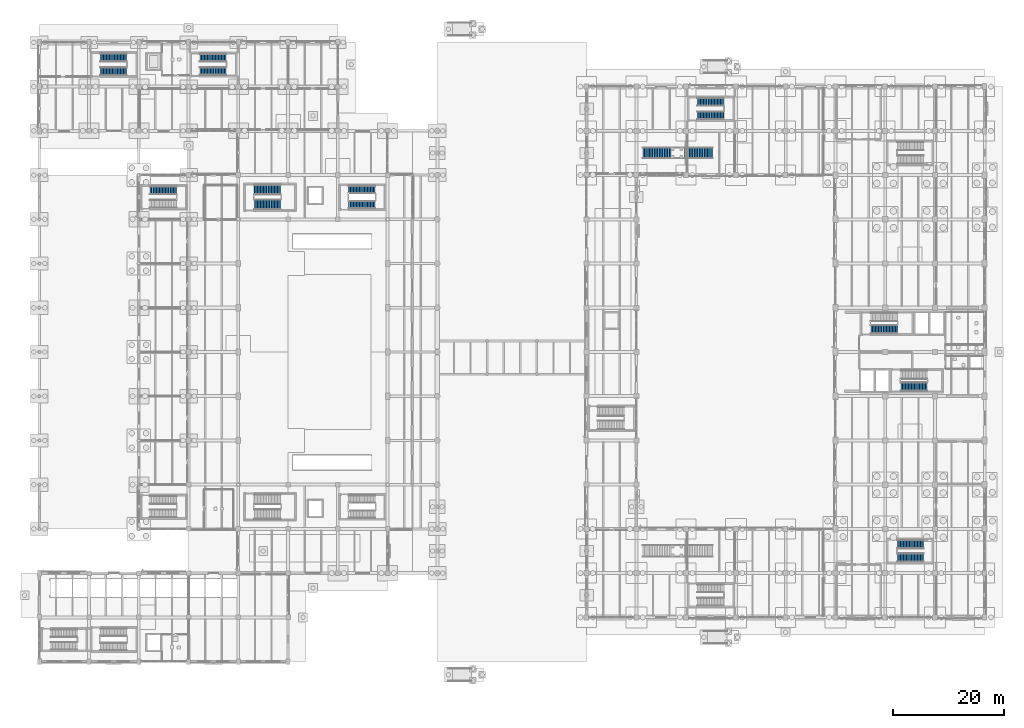
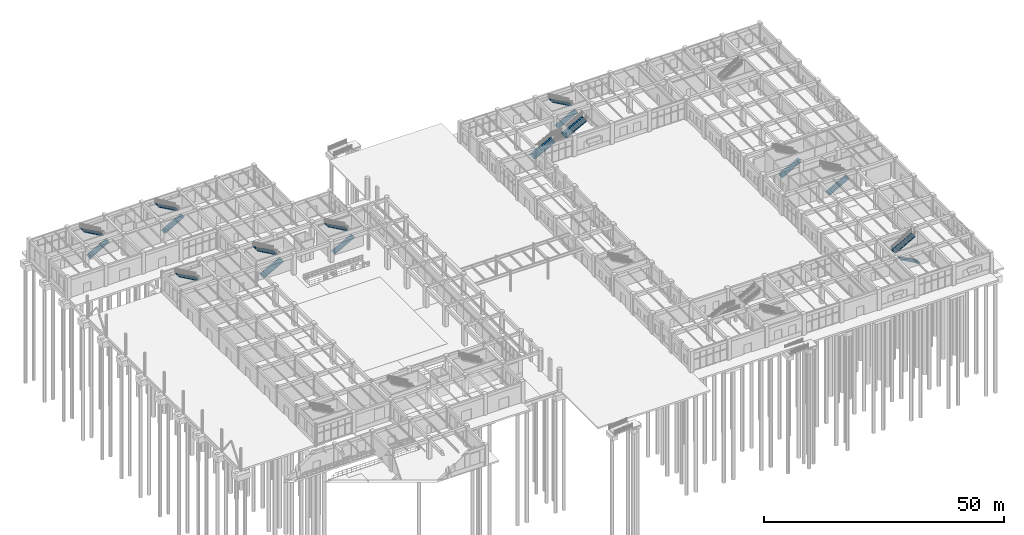
# One storey, part 102 of 121: 17 stair flights, 10 elements without a shape of their own.
"""IFC4 building model written with IfcOpenShell, lengths in metres."""

from ifc_helpers import new_model, si_unit, derived_unit, direction, frame, origin, place, context, subcontext, project, spatial, polyline, outline, extrude, material, type_object, element, aggregate, save


model = new_model("IFC4")

# Units and contexts
model_context = context("Model", 3, precision=1e-05, world=origin(), true_north=direction((0.0, 1.0)))
body_context = subcontext(model_context, "Body", "Model", "MODEL_VIEW")
ifc_project = project(units=[si_unit("LENGTHUNIT", "METRE"), si_unit("AREAUNIT", "SQUARE_METRE"), si_unit("VOLUMEUNIT", "CUBIC_METRE"), si_unit("PLANEANGLEUNIT", "RADIAN"), si_unit("MASSUNIT", "GRAM", prefix="KILO"), derived_unit("THERMALTRANSMITTANCEUNIT", [(si_unit("MASSUNIT", "GRAM", prefix="KILO"), 1), (si_unit("TIMEUNIT", "SECOND"), -3), (si_unit("THERMODYNAMICTEMPERATUREUNIT", "KELVIN"), -1)])], contexts=[model_context])

# Site, building, storey
site_placement = place(None, origin())
site = spatial("IfcSite", under=ifc_project, at=site_placement, CompositionType="ELEMENT")
building_placement = place(site_placement, origin())
building = spatial("IfcBuilding", under=site, at=building_placement, Name="Zhenchuan Archway Interchange", CompositionType="ELEMENT")
storey_placement = place(building_placement, origin())
storey = spatial("IfcBuildingStorey", under=building, at=storey_placement, Name="L00", CompositionType="ELEMENT", Elevation=0.0)

# Stair, stair flights
ifc_material = material(Name="Concrete C35", Category="concrete")
stair_type_1 = type_object("IfcStairType", Name="STR_HALF_1400", PredefinedType="HALF_TURN_STAIR", material=ifc_material)
stair_1_placement = place(storey_placement, origin())
stair_1 = element("IfcStair", 1, at=stair_1_placement, inside=storey, type_object=stair_type_1, Name="Stair ST-M4 (L00)", PredefinedType="HALF_TURN_STAIR")
stair_flight_type_1 = type_object("IfcStairFlightType", Name="SFL_1400", PredefinedType="STRAIGHT", material=ifc_material)
stair_flight_1_placement = place(storey_placement, frame((55.96435546875, 82.614990234375, 0.0), z_axis=(0.0, 0.0, 1.0), x_axis=(1.0, 0.0, 0.0)))
stair_flight_1 = element("IfcStairFlight", 2, at=stair_flight_1_placement, type_object=stair_flight_type_1, Name="Stair ST-M4 lower flight (L00)", NumberOfRisers=18, NumberOfTreads=17, PredefinedType="STRAIGHT", RiserHeight=0.15, TreadLength=0.28, context=body_context, shape_type="SweptSolid", body=[
    extrude(outline(polyline([(0.0, 0.0), (0.0, 0.14990234375), (0.280029296875, 0.14990234375), (0.280029296875, 0.300048828125), (0.56005859375, 0.300048828125), (0.56005859375, 0.449951171875), (0.840087890625, 0.449951171875), (0.840087890625, 0.60009765625), (1.1201171875, 0.60009765625), (1.1201171875, 0.75), (1.39990234375, 0.75), (1.39990234375, 0.89990234375), (1.679931640625, 0.89990234375), (1.679931640625, 1.050048828125), (1.9599609375, 1.050048828125), (1.9599609375, 1.199951171875), (2.239990234375, 1.199951171875), (2.239990234375, 1.35009765625), (2.52001953125, 1.35009765625), (2.52001953125, 1.5), (2.800048828125, 1.5), (2.800048828125, 1.64990234375), (3.080078125, 1.64990234375), (3.080078125, 1.800048828125), (3.360107421875, 1.800048828125), (3.360107421875, 1.949951171875), (3.639892578125, 1.949951171875), (3.639892578125, 2.10009765625), (3.919921875, 2.10009765625), (3.919921875, 2.25), (4.199951171875, 2.25), (4.199951171875, 2.39990234375), (4.47998046875, 2.39990234375), (4.47998046875, 2.550048828125), (4.760009765625, 2.550048828125), (4.760009765625, 2.699951171875), (4.78125, 2.699951171875), (4.78125, 2.495849609375), (0.381103515625, 0.0), (0.0, 0.0)])), frame((0.0, 0.699951171875, 0.0), z_axis=(0.0, -1.0, 0.0), x_axis=(1.0, 0.0, 0.0)), (0.0, 0.0, 1.0), 1.39990234375),
])
stair_flight_2_placement = place(storey_placement, frame((60.74560546875, 85.385009765625, 2.699951171875), z_axis=(0.0, 0.0, 1.0), x_axis=(-1.0, 0.0, 0.0)))
stair_flight_2 = element("IfcStairFlight", 3, at=stair_flight_2_placement, type_object=stair_flight_type_1, Name="Stair ST-M4 upper flight (L00)", NumberOfRisers=18, NumberOfTreads=17, PredefinedType="STRAIGHT", RiserHeight=0.15, TreadLength=0.28, context=body_context, shape_type="SweptSolid", body=[
    extrude(outline(polyline([(0.0, 0.0), (0.0, 0.14990234375), (0.280029296875, 0.14990234375), (0.280029296875, 0.300048828125), (0.56005859375, 0.300048828125), (0.56005859375, 0.449951171875), (0.840087890625, 0.449951171875), (0.840087890625, 0.60009765625), (1.1201171875, 0.60009765625), (1.1201171875, 0.75), (1.39990234375, 0.75), (1.39990234375, 0.89990234375), (1.679931640625, 0.89990234375), (1.679931640625, 1.050048828125), (1.9599609375, 1.050048828125), (1.9599609375, 1.199951171875), (2.239990234375, 1.199951171875), (2.239990234375, 1.35009765625), (2.52001953125, 1.35009765625), (2.52001953125, 1.5), (2.800048828125, 1.5), (2.800048828125, 1.64990234375), (3.080078125, 1.64990234375), (3.080078125, 1.800048828125), (3.360107421875, 1.800048828125), (3.360107421875, 1.949951171875), (3.639892578125, 1.949951171875), (3.639892578125, 2.10009765625), (3.919921875, 2.10009765625), (3.919921875, 2.25), (4.199951171875, 2.25), (4.199951171875, 2.39990234375), (4.47998046875, 2.39990234375), (4.47998046875, 2.550048828125), (4.760009765625, 2.550048828125), (4.760009765625, 2.699951171875), (4.78125, 2.699951171875), (4.78125, 2.495849609375), (0.381103515625, 0.0), (0.0, 0.0)])), frame((0.0, 0.699951171875, 0.0), z_axis=(0.0, -1.0, 0.0), x_axis=(1.0, 0.0, 0.0)), (0.0, 0.0, 1.0), 1.39990234375),
])
aggregate(stair_1, [stair_flight_1, stair_flight_2])

# Stair, stair flight
stair_type_2 = type_object("IfcStairType", Name="STR_HALF_1450", PredefinedType="HALF_TURN_STAIR", material=ifc_material)
stair_2_placement = place(storey_placement, origin())
stair_2 = element("IfcStair", 4, at=stair_2_placement, inside=storey, type_object=stair_type_2, Name="Stair ST-B2 (L00)", PredefinedType="HALF_TURN_STAIR")
stair_flight_type_2 = type_object("IfcStairFlightType", Name="SFL_1450", PredefinedType="STRAIGHT", material=ifc_material)
stair_flight_3_placement = place(storey_placement, frame((24.8056640625, 85.2099609375, 2.699951171875), z_axis=(0.0, 0.0, 1.0), x_axis=(-1.0, 0.0, 0.0)))
stair_flight_3 = element("IfcStairFlight", 5, at=stair_flight_3_placement, type_object=stair_flight_type_2, Name="Stair ST-B2 upper flight (L00)", NumberOfRisers=18, NumberOfTreads=17, PredefinedType="STRAIGHT", RiserHeight=0.15, TreadLength=0.28, context=body_context, shape_type="SweptSolid", body=[
    extrude(outline(polyline([(0.0, 0.0), (0.0, 0.14990234375), (0.280029296875, 0.14990234375), (0.280029296875, 0.300048828125), (0.56005859375, 0.300048828125), (0.56005859375, 0.449951171875), (0.840087890625, 0.449951171875), (0.840087890625, 0.60009765625), (1.1201171875, 0.60009765625), (1.1201171875, 0.75), (1.39990234375, 0.75), (1.39990234375, 0.89990234375), (1.679931640625, 0.89990234375), (1.679931640625, 1.050048828125), (1.9599609375, 1.050048828125), (1.9599609375, 1.199951171875), (2.239990234375, 1.199951171875), (2.239990234375, 1.35009765625), (2.52001953125, 1.35009765625), (2.52001953125, 1.5), (2.800048828125, 1.5), (2.800048828125, 1.64990234375), (3.080078125, 1.64990234375), (3.080078125, 1.800048828125), (3.360107421875, 1.800048828125), (3.360107421875, 1.949951171875), (3.639892578125, 1.949951171875), (3.639892578125, 2.10009765625), (3.919921875, 2.10009765625), (3.919921875, 2.25), (4.199951171875, 2.25), (4.199951171875, 2.39990234375), (4.47998046875, 2.39990234375), (4.47998046875, 2.550048828125), (4.760009765625, 2.550048828125), (4.760009765625, 2.699951171875), (4.78125, 2.699951171875), (4.78125, 2.495849609375), (0.381103515625, 0.0), (0.0, 0.0)])), frame((0.0, 0.72509765625, 0.0), z_axis=(0.0, -1.0, 0.0), x_axis=(1.0, 0.0, 0.0)), (0.0, 0.0, 1.0), 1.449951171875),
])
aggregate(stair_2, [stair_flight_3])

# Stair, stair flights
stair_3_placement = place(storey_placement, origin())
stair_3 = element("IfcStair", 6, at=stair_3_placement, inside=storey, type_object=stair_type_2, Name="Stair ST-W2 (L00)", PredefinedType="HALF_TURN_STAIR")
stair_flight_4_placement = place(storey_placement, frame((29.0244140625, 106.7900390625, 0.0), z_axis=(0.0, 0.0, 1.0), x_axis=(1.0, 0.0, 0.0)))
stair_flight_4 = element("IfcStairFlight", 7, at=stair_flight_4_placement, type_object=stair_flight_type_2, Name="Stair ST-W2 lower flight (L00)", NumberOfRisers=18, NumberOfTreads=17, PredefinedType="STRAIGHT", RiserHeight=0.15, TreadLength=0.28, context=body_context, shape_type="SweptSolid", body=[
    extrude(outline(polyline([(0.0, 0.0), (0.0, 0.14990234375), (0.280029296875, 0.14990234375), (0.280029296875, 0.300048828125), (0.56005859375, 0.300048828125), (0.56005859375, 0.449951171875), (0.840087890625, 0.449951171875), (0.840087890625, 0.60009765625), (1.1201171875, 0.60009765625), (1.1201171875, 0.75), (1.39990234375, 0.75), (1.39990234375, 0.89990234375), (1.679931640625, 0.89990234375), (1.679931640625, 1.050048828125), (1.9599609375, 1.050048828125), (1.9599609375, 1.199951171875), (2.239990234375, 1.199951171875), (2.239990234375, 1.35009765625), (2.52001953125, 1.35009765625), (2.52001953125, 1.5), (2.800048828125, 1.5), (2.800048828125, 1.64990234375), (3.080078125, 1.64990234375), (3.080078125, 1.800048828125), (3.360107421875, 1.800048828125), (3.360107421875, 1.949951171875), (3.639892578125, 1.949951171875), (3.639892578125, 2.10009765625), (3.919921875, 2.10009765625), (3.919921875, 2.25), (4.199951171875, 2.25), (4.199951171875, 2.39990234375), (4.47998046875, 2.39990234375), (4.47998046875, 2.550048828125), (4.760009765625, 2.550048828125), (4.760009765625, 2.699951171875), (4.78125, 2.699951171875), (4.78125, 2.495849609375), (0.381103515625, 0.0), (0.0, 0.0)])), frame((0.0, 0.72509765625, 0.0), z_axis=(0.0, -1.0, 0.0), x_axis=(1.0, 0.0, 0.0)), (0.0, 0.0, 1.0), 1.449951171875),
])
stair_flight_5_placement = place(storey_placement, frame((33.8056640625, 109.2099609375, 2.699951171875), z_axis=(0.0, 0.0, 1.0), x_axis=(-1.0, 0.0, 0.0)))
stair_flight_5 = element("IfcStairFlight", 8, at=stair_flight_5_placement, type_object=stair_flight_type_2, Name="Stair ST-W2 upper flight (L00)", NumberOfRisers=18, NumberOfTreads=17, PredefinedType="STRAIGHT", RiserHeight=0.15, TreadLength=0.28, context=body_context, shape_type="SweptSolid", body=[
    extrude(outline(polyline([(0.0, 0.0), (0.0, 0.14990234375), (0.280029296875, 0.14990234375), (0.280029296875, 0.300048828125), (0.56005859375, 0.300048828125), (0.56005859375, 0.449951171875), (0.840087890625, 0.449951171875), (0.840087890625, 0.60009765625), (1.1201171875, 0.60009765625), (1.1201171875, 0.75), (1.39990234375, 0.75), (1.39990234375, 0.89990234375), (1.679931640625, 0.89990234375), (1.679931640625, 1.050048828125), (1.9599609375, 1.050048828125), (1.9599609375, 1.199951171875), (2.239990234375, 1.199951171875), (2.239990234375, 1.35009765625), (2.52001953125, 1.35009765625), (2.52001953125, 1.5), (2.800048828125, 1.5), (2.800048828125, 1.64990234375), (3.080078125, 1.64990234375), (3.080078125, 1.800048828125), (3.360107421875, 1.800048828125), (3.360107421875, 1.949951171875), (3.639892578125, 1.949951171875), (3.639892578125, 2.10009765625), (3.919921875, 2.10009765625), (3.919921875, 2.25), (4.199951171875, 2.25), (4.199951171875, 2.39990234375), (4.47998046875, 2.39990234375), (4.47998046875, 2.550048828125), (4.760009765625, 2.550048828125), (4.760009765625, 2.699951171875), (4.78125, 2.699951171875), (4.78125, 2.495849609375), (0.381103515625, 0.0), (0.0, 0.0)])), frame((0.0, 0.72509765625, 0.0), z_axis=(0.0, -1.0, 0.0), x_axis=(1.0, 0.0, 0.0)), (0.0, 0.0, 1.0), 1.449951171875),
])
aggregate(stair_3, [stair_flight_4, stair_flight_5])

stair_4_placement = place(storey_placement, origin())
stair_4 = element("IfcStair", 9, at=stair_4_placement, inside=storey, type_object=stair_type_2, Name="Stair ST-O6 (L00)", PredefinedType="HALF_TURN_STAIR")
stair_flight_6_placement = place(storey_placement, frame((119.0244140625, 98.7900390625, 0.0), z_axis=(0.0, 0.0, 1.0), x_axis=(1.0, 0.0, 0.0)))
stair_flight_6 = element("IfcStairFlight", 10, at=stair_flight_6_placement, type_object=stair_flight_type_2, Name="Stair ST-O6 lower flight (L00)", NumberOfRisers=18, NumberOfTreads=17, PredefinedType="STRAIGHT", RiserHeight=0.15, TreadLength=0.28, context=body_context, shape_type="SweptSolid", body=[
    extrude(outline(polyline([(0.0, 0.0), (0.0, 0.14990234375), (0.280029296875, 0.14990234375), (0.280029296875, 0.300048828125), (0.56005859375, 0.300048828125), (0.56005859375, 0.449951171875), (0.840087890625, 0.449951171875), (0.840087890625, 0.60009765625), (1.1201171875, 0.60009765625), (1.1201171875, 0.75), (1.39990234375, 0.75), (1.39990234375, 0.89990234375), (1.679931640625, 0.89990234375), (1.679931640625, 1.050048828125), (1.9599609375, 1.050048828125), (1.9599609375, 1.199951171875), (2.239990234375, 1.199951171875), (2.239990234375, 1.35009765625), (2.52001953125, 1.35009765625), (2.52001953125, 1.5), (2.800048828125, 1.5), (2.800048828125, 1.64990234375), (3.080078125, 1.64990234375), (3.080078125, 1.800048828125), (3.360107421875, 1.800048828125), (3.360107421875, 1.949951171875), (3.639892578125, 1.949951171875), (3.639892578125, 2.10009765625), (3.919921875, 2.10009765625), (3.919921875, 2.25), (4.199951171875, 2.25), (4.199951171875, 2.39990234375), (4.47998046875, 2.39990234375), (4.47998046875, 2.550048828125), (4.760009765625, 2.550048828125), (4.760009765625, 2.699951171875), (4.78125, 2.699951171875), (4.78125, 2.495849609375), (0.381103515625, 0.0), (0.0, 0.0)])), frame((0.0, 0.72509765625, 0.0), z_axis=(0.0, -1.0, 0.0), x_axis=(1.0, 0.0, 0.0)), (0.0, 0.0, 1.0), 1.449951171875),
])
stair_flight_7_placement = place(storey_placement, frame((123.8056640625, 101.2099609375, 2.699951171875), z_axis=(0.0, 0.0, 1.0), x_axis=(-1.0, 0.0, 0.0)))
stair_flight_7 = element("IfcStairFlight", 11, at=stair_flight_7_placement, type_object=stair_flight_type_2, Name="Stair ST-O6 upper flight (L00)", NumberOfRisers=18, NumberOfTreads=17, PredefinedType="STRAIGHT", RiserHeight=0.15, TreadLength=0.28, context=body_context, shape_type="SweptSolid", body=[
    extrude(outline(polyline([(0.0, 0.0), (0.0, 0.14990234375), (0.280029296875, 0.14990234375), (0.280029296875, 0.300048828125), (0.56005859375, 0.300048828125), (0.56005859375, 0.449951171875), (0.840087890625, 0.449951171875), (0.840087890625, 0.60009765625), (1.1201171875, 0.60009765625), (1.1201171875, 0.75), (1.39990234375, 0.75), (1.39990234375, 0.89990234375), (1.679931640625, 0.89990234375), (1.679931640625, 1.050048828125), (1.9599609375, 1.050048828125), (1.9599609375, 1.199951171875), (2.239990234375, 1.199951171875), (2.239990234375, 1.35009765625), (2.52001953125, 1.35009765625), (2.52001953125, 1.5), (2.800048828125, 1.5), (2.800048828125, 1.64990234375), (3.080078125, 1.64990234375), (3.080078125, 1.800048828125), (3.360107421875, 1.800048828125), (3.360107421875, 1.949951171875), (3.639892578125, 1.949951171875), (3.639892578125, 2.10009765625), (3.919921875, 2.10009765625), (3.919921875, 2.25), (4.199951171875, 2.25), (4.199951171875, 2.39990234375), (4.47998046875, 2.39990234375), (4.47998046875, 2.550048828125), (4.760009765625, 2.550048828125), (4.760009765625, 2.699951171875), (4.78125, 2.699951171875), (4.78125, 2.495849609375), (0.381103515625, 0.0), (0.0, 0.0)])), frame((0.0, 0.72509765625, 0.0), z_axis=(0.0, -1.0, 0.0), x_axis=(1.0, 0.0, 0.0)), (0.0, 0.0, 1.0), 1.449951171875),
])
aggregate(stair_4, [stair_flight_6, stair_flight_7])

stair_type_3 = type_object("IfcStairType", Name="STR_HALF_1500", PredefinedType="HALF_TURN_STAIR", material=ifc_material)
stair_5_placement = place(storey_placement, origin())
stair_5 = element("IfcStair", 12, at=stair_5_placement, inside=storey, type_object=stair_type_3, Name="Stair ST-W1 (L00)", PredefinedType="HALF_TURN_STAIR")
stair_flight_type_3 = type_object("IfcStairFlightType", Name="SFL_1500", PredefinedType="STRAIGHT", material=ifc_material)
stair_flight_8_placement = place(storey_placement, frame((11.0244140625, 106.764892578125, 0.0), z_axis=(0.0, 0.0, 1.0), x_axis=(1.0, 0.0, 0.0)))
stair_flight_8 = element("IfcStairFlight", 13, at=stair_flight_8_placement, type_object=stair_flight_type_3, Name="Stair ST-W1 lower flight (L00)", NumberOfRisers=18, NumberOfTreads=17, PredefinedType="STRAIGHT", RiserHeight=0.15, TreadLength=0.28, context=body_context, shape_type="SweptSolid", body=[
    extrude(outline(polyline([(0.0, 0.0), (0.0, 0.14990234375), (0.280029296875, 0.14990234375), (0.280029296875, 0.300048828125), (0.56005859375, 0.300048828125), (0.56005859375, 0.449951171875), (0.840087890625, 0.449951171875), (0.840087890625, 0.60009765625), (1.1201171875, 0.60009765625), (1.1201171875, 0.75), (1.39990234375, 0.75), (1.39990234375, 0.89990234375), (1.679931640625, 0.89990234375), (1.679931640625, 1.050048828125), (1.9599609375, 1.050048828125), (1.9599609375, 1.199951171875), (2.239990234375, 1.199951171875), (2.239990234375, 1.35009765625), (2.52001953125, 1.35009765625), (2.52001953125, 1.5), (2.800048828125, 1.5), (2.800048828125, 1.64990234375), (3.080078125, 1.64990234375), (3.080078125, 1.800048828125), (3.360107421875, 1.800048828125), (3.360107421875, 1.949951171875), (3.639892578125, 1.949951171875), (3.639892578125, 2.10009765625), (3.919921875, 2.10009765625), (3.919921875, 2.25), (4.199951171875, 2.25), (4.199951171875, 2.39990234375), (4.47998046875, 2.39990234375), (4.47998046875, 2.550048828125), (4.760009765625, 2.550048828125), (4.760009765625, 2.699951171875), (4.78125, 2.699951171875), (4.78125, 2.495849609375), (0.381103515625, 0.0), (0.0, 0.0)])), frame((0.0, 0.75, 0.0), z_axis=(0.0, -1.0, 0.0), x_axis=(1.0, 0.0, 0.0)), (0.0, 0.0, 1.0), 1.5),
])
stair_flight_9_placement = place(storey_placement, frame((15.8056640625, 109.235107421875, 2.699951171875), z_axis=(0.0, 0.0, 1.0), x_axis=(-1.0, 0.0, 0.0)))
stair_flight_9 = element("IfcStairFlight", 14, at=stair_flight_9_placement, type_object=stair_flight_type_3, Name="Stair ST-W1 upper flight (L00)", NumberOfRisers=18, NumberOfTreads=17, PredefinedType="STRAIGHT", RiserHeight=0.15, TreadLength=0.28, context=body_context, shape_type="SweptSolid", body=[
    extrude(outline(polyline([(0.0, 0.0), (0.0, 0.14990234375), (0.280029296875, 0.14990234375), (0.280029296875, 0.300048828125), (0.56005859375, 0.300048828125), (0.56005859375, 0.449951171875), (0.840087890625, 0.449951171875), (0.840087890625, 0.60009765625), (1.1201171875, 0.60009765625), (1.1201171875, 0.75), (1.39990234375, 0.75), (1.39990234375, 0.89990234375), (1.679931640625, 0.89990234375), (1.679931640625, 1.050048828125), (1.9599609375, 1.050048828125), (1.9599609375, 1.199951171875), (2.239990234375, 1.199951171875), (2.239990234375, 1.35009765625), (2.52001953125, 1.35009765625), (2.52001953125, 1.5), (2.800048828125, 1.5), (2.800048828125, 1.64990234375), (3.080078125, 1.64990234375), (3.080078125, 1.800048828125), (3.360107421875, 1.800048828125), (3.360107421875, 1.949951171875), (3.639892578125, 1.949951171875), (3.639892578125, 2.10009765625), (3.919921875, 2.10009765625), (3.919921875, 2.25), (4.199951171875, 2.25), (4.199951171875, 2.39990234375), (4.47998046875, 2.39990234375), (4.47998046875, 2.550048828125), (4.760009765625, 2.550048828125), (4.760009765625, 2.699951171875), (4.78125, 2.699951171875), (4.78125, 2.495849609375), (0.381103515625, 0.0), (0.0, 0.0)])), frame((0.0, 0.75, 0.0), z_axis=(0.0, -1.0, 0.0), x_axis=(1.0, 0.0, 0.0)), (0.0, 0.0, 1.0), 1.5),
])
aggregate(stair_5, [stair_flight_8, stair_flight_9])

# Stair, stair flight
stair_type_4 = type_object("IfcStairType", Name="STR_HALF_1550", PredefinedType="HALF_TURN_STAIR", material=ifc_material)
stair_6_placement = place(storey_placement, origin())
stair_6 = element("IfcStair", 15, at=stair_6_placement, inside=storey, type_object=stair_type_4, Name="Stair ST-O1 (L00)", PredefinedType="HALF_TURN_STAIR")
stair_flight_type_4 = type_object("IfcStairFlightType", Name="SFL_1550", PredefinedType="STRAIGHT", material=ifc_material)
stair_flight_10_placement = place(storey_placement, frame((150.42431640625, 60.090087890625, 0.0), z_axis=(0.0, 0.0, 1.0), x_axis=(1.0, 0.0, 0.0)))
stair_flight_10 = element("IfcStairFlight", 16, at=stair_flight_10_placement, type_object=stair_flight_type_4, Name="Stair ST-O1 lower flight (L00)", NumberOfRisers=18, NumberOfTreads=17, PredefinedType="STRAIGHT", RiserHeight=0.15, TreadLength=0.28, context=body_context, shape_type="SweptSolid", body=[
    extrude(outline(polyline([(0.0, 0.0), (0.0, 0.14990234375), (0.280029296875, 0.14990234375), (0.280029296875, 0.300048828125), (0.56005859375, 0.300048828125), (0.56005859375, 0.449951171875), (0.840087890625, 0.449951171875), (0.840087890625, 0.60009765625), (1.1201171875, 0.60009765625), (1.1201171875, 0.75), (1.39990234375, 0.75), (1.39990234375, 0.89990234375), (1.679931640625, 0.89990234375), (1.679931640625, 1.050048828125), (1.9599609375, 1.050048828125), (1.9599609375, 1.199951171875), (2.239990234375, 1.199951171875), (2.239990234375, 1.35009765625), (2.52001953125, 1.35009765625), (2.52001953125, 1.5), (2.800048828125, 1.5), (2.800048828125, 1.64990234375), (3.080078125, 1.64990234375), (3.080078125, 1.800048828125), (3.360107421875, 1.800048828125), (3.360107421875, 1.949951171875), (3.639892578125, 1.949951171875), (3.639892578125, 2.10009765625), (3.919921875, 2.10009765625), (3.919921875, 2.25), (4.199951171875, 2.25), (4.199951171875, 2.39990234375), (4.47998046875, 2.39990234375), (4.47998046875, 2.550048828125), (4.760009765625, 2.550048828125), (4.760009765625, 2.699951171875), (4.78125, 2.699951171875), (4.78125, 2.495849609375), (0.381103515625, 0.0), (0.0, 0.0)])), frame((0.0, 0.77490234375, 0.0), z_axis=(0.0, -1.0, 0.0), x_axis=(1.0, 0.0, 0.0)), (0.0, 0.0, 1.0), 1.550048828125),
])
aggregate(stair_6, [stair_flight_10])

# Stair, stair flights
stair_7_placement = place(storey_placement, origin())
stair_7 = element("IfcStair", 17, at=stair_7_placement, inside=storey, type_object=stair_type_4, Name="Stair ST-O4 (L00)", PredefinedType="HALF_TURN_STAIR")
stair_flight_11_placement = place(storey_placement, frame((159.9755859375, 18.7900390625, 0.0), z_axis=(0.0, 0.0, 1.0), x_axis=(-1.0, 0.0, 0.0)))
stair_flight_11 = element("IfcStairFlight", 18, at=stair_flight_11_placement, type_object=stair_flight_type_4, Name="Stair ST-O4 lower flight (L00)", NumberOfRisers=18, NumberOfTreads=17, PredefinedType="STRAIGHT", RiserHeight=0.15, TreadLength=0.28, context=body_context, shape_type="SweptSolid", body=[
    extrude(outline(polyline([(0.0, 0.0), (0.0, 0.14990234375), (0.280029296875, 0.14990234375), (0.280029296875, 0.300048828125), (0.56005859375, 0.300048828125), (0.56005859375, 0.449951171875), (0.840087890625, 0.449951171875), (0.840087890625, 0.60009765625), (1.1201171875, 0.60009765625), (1.1201171875, 0.75), (1.39990234375, 0.75), (1.39990234375, 0.89990234375), (1.679931640625, 0.89990234375), (1.679931640625, 1.050048828125), (1.9599609375, 1.050048828125), (1.9599609375, 1.199951171875), (2.239990234375, 1.199951171875), (2.239990234375, 1.35009765625), (2.52001953125, 1.35009765625), (2.52001953125, 1.5), (2.800048828125, 1.5), (2.800048828125, 1.64990234375), (3.080078125, 1.64990234375), (3.080078125, 1.800048828125), (3.360107421875, 1.800048828125), (3.360107421875, 1.949951171875), (3.639892578125, 1.949951171875), (3.639892578125, 2.10009765625), (3.919921875, 2.10009765625), (3.919921875, 2.25), (4.199951171875, 2.25), (4.199951171875, 2.39990234375), (4.47998046875, 2.39990234375), (4.47998046875, 2.550048828125), (4.760009765625, 2.550048828125), (4.760009765625, 2.699951171875), (4.78125, 2.699951171875), (4.78125, 2.495849609375), (0.381103515625, 0.0), (0.0, 0.0)])), frame((0.0, 0.77490234375, 0.0), z_axis=(0.0, -1.0, 0.0), x_axis=(1.0, 0.0, 0.0)), (0.0, 0.0, 1.0), 1.550048828125),
])
stair_flight_12_placement = place(storey_placement, frame((155.1943359375, 21.2099609375, 2.699951171875), z_axis=(0.0, 0.0, 1.0), x_axis=(1.0, 0.0, 0.0)))
stair_flight_12 = element("IfcStairFlight", 19, at=stair_flight_12_placement, type_object=stair_flight_type_4, Name="Stair ST-O4 upper flight (L00)", NumberOfRisers=18, NumberOfTreads=17, PredefinedType="STRAIGHT", RiserHeight=0.15, TreadLength=0.28, context=body_context, shape_type="SweptSolid", body=[
    extrude(outline(polyline([(0.0, 0.0), (0.0, 0.14990234375), (0.280029296875, 0.14990234375), (0.280029296875, 0.300048828125), (0.56005859375, 0.300048828125), (0.56005859375, 0.449951171875), (0.840087890625, 0.449951171875), (0.840087890625, 0.60009765625), (1.1201171875, 0.60009765625), (1.1201171875, 0.75), (1.39990234375, 0.75), (1.39990234375, 0.89990234375), (1.679931640625, 0.89990234375), (1.679931640625, 1.050048828125), (1.9599609375, 1.050048828125), (1.9599609375, 1.199951171875), (2.239990234375, 1.199951171875), (2.239990234375, 1.35009765625), (2.52001953125, 1.35009765625), (2.52001953125, 1.5), (2.800048828125, 1.5), (2.800048828125, 1.64990234375), (3.080078125, 1.64990234375), (3.080078125, 1.800048828125), (3.360107421875, 1.800048828125), (3.360107421875, 1.949951171875), (3.639892578125, 1.949951171875), (3.639892578125, 2.10009765625), (3.919921875, 2.10009765625), (3.919921875, 2.25), (4.199951171875, 2.25), (4.199951171875, 2.39990234375), (4.47998046875, 2.39990234375), (4.47998046875, 2.550048828125), (4.760009765625, 2.550048828125), (4.760009765625, 2.699951171875), (4.78125, 2.699951171875), (4.78125, 2.495849609375), (0.381103515625, 0.0), (0.0, 0.0)])), frame((0.0, 0.77490234375, 0.0), z_axis=(0.0, -1.0, 0.0), x_axis=(1.0, 0.0, 0.0)), (0.0, 0.0, 1.0), 1.550048828125),
])
aggregate(stair_7, [stair_flight_11, stair_flight_12])

# Stair, stair flight
stair_type_5 = type_object("IfcStairType", Name="STR_HALF_1600", PredefinedType="HALF_TURN_STAIR", material=ifc_material)
stair_8_placement = place(storey_placement, origin())
stair_8 = element("IfcStair", 20, at=stair_8_placement, inside=storey, type_object=stair_type_5, Name="Stair ST-O2 (L00)", PredefinedType="HALF_TURN_STAIR")
stair_flight_type_5 = type_object("IfcStairFlightType", Name="SFL_1600", PredefinedType="STRAIGHT", material=ifc_material)
stair_flight_13_placement = place(storey_placement, frame((155.824462890625, 49.715087890625, 0.0), z_axis=(0.0, 0.0, 1.0), x_axis=(1.0, 0.0, 0.0)))
stair_flight_13 = element("IfcStairFlight", 21, at=stair_flight_13_placement, type_object=stair_flight_type_5, Name="Stair ST-O2 lower flight (L00)", NumberOfRisers=18, NumberOfTreads=17, PredefinedType="STRAIGHT", RiserHeight=0.15, TreadLength=0.28, context=body_context, shape_type="SweptSolid", body=[
    extrude(outline(polyline([(0.0, 0.0), (0.0, 0.14990234375), (0.280029296875, 0.14990234375), (0.280029296875, 0.300048828125), (0.56005859375, 0.300048828125), (0.56005859375, 0.449951171875), (0.840087890625, 0.449951171875), (0.840087890625, 0.60009765625), (1.1201171875, 0.60009765625), (1.1201171875, 0.75), (1.39990234375, 0.75), (1.39990234375, 0.89990234375), (1.679931640625, 0.89990234375), (1.679931640625, 1.050048828125), (1.9599609375, 1.050048828125), (1.9599609375, 1.199951171875), (2.239990234375, 1.199951171875), (2.239990234375, 1.35009765625), (2.52001953125, 1.35009765625), (2.52001953125, 1.5), (2.800048828125, 1.5), (2.800048828125, 1.64990234375), (3.080078125, 1.64990234375), (3.080078125, 1.800048828125), (3.360107421875, 1.800048828125), (3.360107421875, 1.949951171875), (3.639892578125, 1.949951171875), (3.639892578125, 2.10009765625), (3.919921875, 2.10009765625), (3.919921875, 2.25), (4.199951171875, 2.25), (4.199951171875, 2.39990234375), (4.47998046875, 2.39990234375), (4.47998046875, 2.550048828125), (4.760009765625, 2.550048828125), (4.760009765625, 2.699951171875), (4.78125, 2.699951171875), (4.78125, 2.495849609375), (0.381103515625, 0.0), (0.0, 0.0)])), frame((0.0, 0.800048828125, 0.0), z_axis=(0.0, -1.0, 0.0), x_axis=(1.0, 0.0, 0.0)), (0.0, 0.0, 1.0), 1.60009765625),
])
aggregate(stair_8, [stair_flight_13])

# Stair, stair flights
stair_type_6 = type_object("IfcStairType", Name="STR_HALF_1800", PredefinedType="HALF_TURN_STAIR", material=ifc_material)
stair_9_placement = place(storey_placement, origin())
stair_9 = element("IfcStair", 22, at=stair_9_placement, inside=storey, type_object=stair_type_6, Name="Stair ST-M2 (L00)", PredefinedType="HALF_TURN_STAIR")
stair_flight_type_6 = type_object("IfcStairFlightType", Name="SFL_1800", PredefinedType="STRAIGHT", material=ifc_material)
stair_flight_14_placement = place(storey_placement, frame((38.87451171875, 82.6650390625, 0.0), z_axis=(0.0, 0.0, 1.0), x_axis=(1.0, 0.0, 0.0)))
stair_flight_14 = element("IfcStairFlight", 23, at=stair_flight_14_placement, type_object=stair_flight_type_6, Name="Stair ST-M2 lower flight (L00)", NumberOfRisers=18, NumberOfTreads=17, PredefinedType="STRAIGHT", RiserHeight=0.15, TreadLength=0.28, context=body_context, shape_type="SweptSolid", body=[
    extrude(outline(polyline([(0.0, 0.0), (0.0, 0.14990234375), (0.280029296875, 0.14990234375), (0.280029296875, 0.300048828125), (0.56005859375, 0.300048828125), (0.56005859375, 0.449951171875), (0.840087890625, 0.449951171875), (0.840087890625, 0.60009765625), (1.1201171875, 0.60009765625), (1.1201171875, 0.75), (1.39990234375, 0.75), (1.39990234375, 0.89990234375), (1.679931640625, 0.89990234375), (1.679931640625, 1.050048828125), (1.9599609375, 1.050048828125), (1.9599609375, 1.199951171875), (2.239990234375, 1.199951171875), (2.239990234375, 1.35009765625), (2.52001953125, 1.35009765625), (2.52001953125, 1.5), (2.800048828125, 1.5), (2.800048828125, 1.64990234375), (3.080078125, 1.64990234375), (3.080078125, 1.800048828125), (3.360107421875, 1.800048828125), (3.360107421875, 1.949951171875), (3.639892578125, 1.949951171875), (3.639892578125, 2.10009765625), (3.919921875, 2.10009765625), (3.919921875, 2.25), (4.199951171875, 2.25), (4.199951171875, 2.39990234375), (4.47998046875, 2.39990234375), (4.47998046875, 2.550048828125), (4.760009765625, 2.550048828125), (4.760009765625, 2.699951171875), (4.78125, 2.699951171875), (4.78125, 2.495849609375), (0.381103515625, 0.0), (0.0, 0.0)])), frame((0.0, 0.89990234375, 0.0), z_axis=(0.0, -1.0, 0.0), x_axis=(1.0, 0.0, 0.0)), (0.0, 0.0, 1.0), 1.800048828125),
])
stair_flight_15_placement = place(storey_placement, frame((43.655517578125, 85.3349609375, 2.699951171875), z_axis=(0.0, 0.0, 1.0), x_axis=(-1.0, 0.0, 0.0)))
stair_flight_15 = element("IfcStairFlight", 24, at=stair_flight_15_placement, type_object=stair_flight_type_6, Name="Stair ST-M2 upper flight (L00)", NumberOfRisers=18, NumberOfTreads=17, PredefinedType="STRAIGHT", RiserHeight=0.15, TreadLength=0.28, context=body_context, shape_type="SweptSolid", body=[
    extrude(outline(polyline([(0.0, 0.0), (0.0, 0.14990234375), (0.280029296875, 0.14990234375), (0.280029296875, 0.300048828125), (0.56005859375, 0.300048828125), (0.56005859375, 0.449951171875), (0.840087890625, 0.449951171875), (0.840087890625, 0.60009765625), (1.1201171875, 0.60009765625), (1.1201171875, 0.75), (1.39990234375, 0.75), (1.39990234375, 0.89990234375), (1.679931640625, 0.89990234375), (1.679931640625, 1.050048828125), (1.9599609375, 1.050048828125), (1.9599609375, 1.199951171875), (2.239990234375, 1.199951171875), (2.239990234375, 1.35009765625), (2.52001953125, 1.35009765625), (2.52001953125, 1.5), (2.800048828125, 1.5), (2.800048828125, 1.64990234375), (3.080078125, 1.64990234375), (3.080078125, 1.800048828125), (3.360107421875, 1.800048828125), (3.360107421875, 1.949951171875), (3.639892578125, 1.949951171875), (3.639892578125, 2.10009765625), (3.919921875, 2.10009765625), (3.919921875, 2.25), (4.199951171875, 2.25), (4.199951171875, 2.39990234375), (4.47998046875, 2.39990234375), (4.47998046875, 2.550048828125), (4.760009765625, 2.550048828125), (4.760009765625, 2.699951171875), (4.78125, 2.699951171875), (4.78125, 2.495849609375), (0.381103515625, 0.0), (0.0, 0.0)])), frame((0.0, 0.89990234375, 0.0), z_axis=(0.0, -1.0, 0.0), x_axis=(1.0, 0.0, 0.0)), (0.0, 0.0, 1.0), 1.800048828125),
])
aggregate(stair_9, [stair_flight_14, stair_flight_15])

stair_type_7 = type_object("IfcStairType", Name="STR_MON_2000", PredefinedType="STRAIGHT_RUN_STAIR", material=ifc_material)
stair_10_placement = place(storey_placement, origin())
stair_10 = element("IfcStair", 25, at=stair_10_placement, inside=storey, type_object=stair_type_7, Name="Monumental public stair ST-P6", PredefinedType="STRAIGHT_RUN_STAIR")
stair_flight_type_7 = type_object("IfcStairFlightType", Name="SFL_MON_2000", PredefinedType="STRAIGHT", material=ifc_material)
stair_flight_16_placement = place(storey_placement, frame((109.159912109375, 92.0, 0.0), z_axis=(0.0, 0.0, 1.0), x_axis=(1.0, 0.0, 0.0)))
stair_flight_16 = element("IfcStairFlight", 26, at=stair_flight_16_placement, type_object=stair_flight_type_7, Name="Monumental stair ST-P6 lower flight", NumberOfRisers=18, NumberOfTreads=17, PredefinedType="STRAIGHT", RiserHeight=0.15, TreadLength=0.3, context=body_context, shape_type="SweptSolid", body=[
    extrude(outline(polyline([(0.0, 0.0), (0.0, 0.14990234375), (0.300048828125, 0.14990234375), (0.300048828125, 0.300048828125), (0.60009765625, 0.300048828125), (0.60009765625, 0.449951171875), (0.89990234375, 0.449951171875), (0.89990234375, 0.60009765625), (1.199951171875, 0.60009765625), (1.199951171875, 0.75), (1.5, 0.75), (1.5, 0.89990234375), (1.800048828125, 0.89990234375), (1.800048828125, 1.050048828125), (2.10009765625, 1.050048828125), (2.10009765625, 1.199951171875), (2.39990234375, 1.199951171875), (2.39990234375, 1.35009765625), (2.699951171875, 1.35009765625), (2.699951171875, 1.5), (3.0, 1.5), (3.0, 1.64990234375), (3.300048828125, 1.64990234375), (3.300048828125, 1.800048828125), (3.60009765625, 1.800048828125), (3.60009765625, 1.949951171875), (3.89990234375, 1.949951171875), (3.89990234375, 2.10009765625), (4.199951171875, 2.10009765625), (4.199951171875, 2.25), (4.5, 2.25), (4.5, 2.39990234375), (4.800048828125, 2.39990234375), (4.800048828125, 2.550048828125), (5.10009765625, 2.550048828125), (5.10009765625, 2.699951171875), (5.121337890625, 2.699951171875), (5.121337890625, 2.4541015625), (0.491943359375, 0.0), (0.0, 0.0)])), frame((0.0, 1.0, 0.0), z_axis=(0.0, -1.0, 0.0), x_axis=(1.0, 0.0, 0.0)), (0.0, 0.0, 1.0), 2.0),
])
stair_flight_17_placement = place(storey_placement, frame((116.679443359375, 92.0, 2.699951171875), z_axis=(0.0, 0.0, 1.0), x_axis=(1.0, 0.0, 0.0)))
stair_flight_17 = element("IfcStairFlight", 27, at=stair_flight_17_placement, type_object=stair_flight_type_7, Name="Monumental stair ST-P6 upper flight", NumberOfRisers=18, NumberOfTreads=17, PredefinedType="STRAIGHT", RiserHeight=0.15, TreadLength=0.3, context=body_context, shape_type="SweptSolid", body=[
    extrude(outline(polyline([(0.0, 0.0), (0.0, 0.14990234375), (0.300048828125, 0.14990234375), (0.300048828125, 0.300048828125), (0.60009765625, 0.300048828125), (0.60009765625, 0.449951171875), (0.89990234375, 0.449951171875), (0.89990234375, 0.60009765625), (1.199951171875, 0.60009765625), (1.199951171875, 0.75), (1.5, 0.75), (1.5, 0.89990234375), (1.800048828125, 0.89990234375), (1.800048828125, 1.050048828125), (2.10009765625, 1.050048828125), (2.10009765625, 1.199951171875), (2.39990234375, 1.199951171875), (2.39990234375, 1.35009765625), (2.699951171875, 1.35009765625), (2.699951171875, 1.5), (3.0, 1.5), (3.0, 1.64990234375), (3.300048828125, 1.64990234375), (3.300048828125, 1.800048828125), (3.60009765625, 1.800048828125), (3.60009765625, 1.949951171875), (3.89990234375, 1.949951171875), (3.89990234375, 2.10009765625), (4.199951171875, 2.10009765625), (4.199951171875, 2.25), (4.5, 2.25), (4.5, 2.39990234375), (4.800048828125, 2.39990234375), (4.800048828125, 2.550048828125), (5.10009765625, 2.550048828125), (5.10009765625, 2.699951171875), (5.121337890625, 2.699951171875), (5.121337890625, 2.4541015625), (0.491943359375, 0.0), (0.0, 0.0)])), frame((0.0, 1.0, 0.0), z_axis=(0.0, -1.0, 0.0), x_axis=(1.0, 0.0, 0.0)), (0.0, 0.0, 1.0), 2.0),
])
aggregate(stair_10, [stair_flight_16, stair_flight_17])

save(model, "model.ifc")
